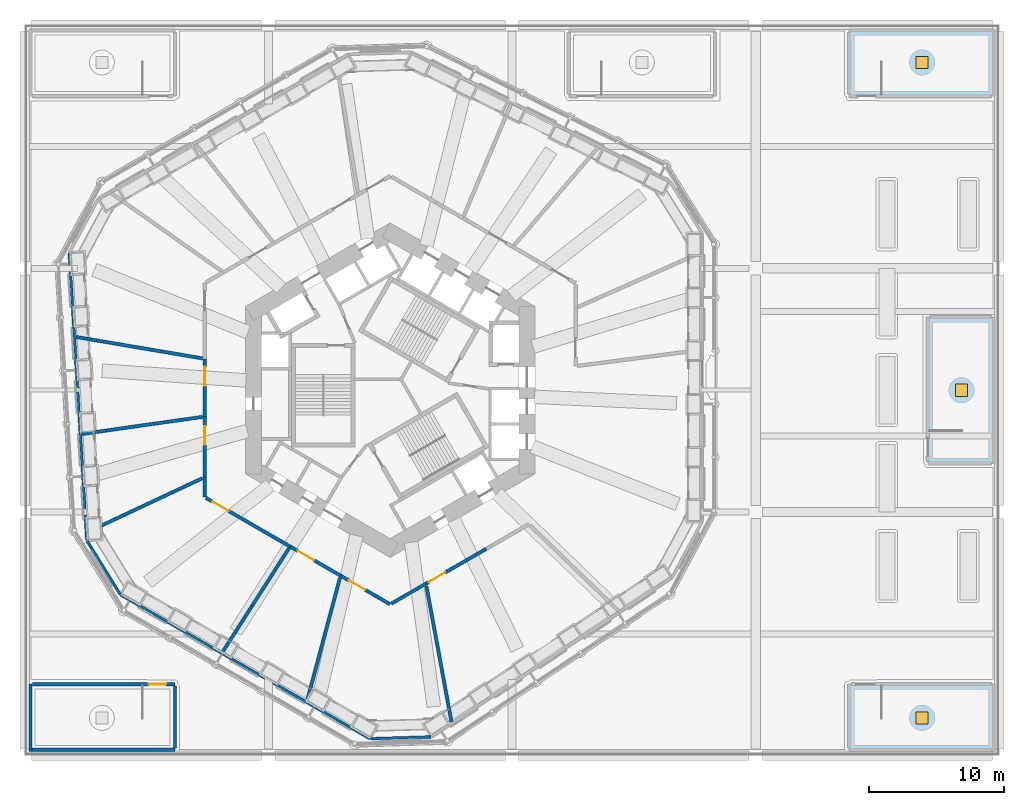
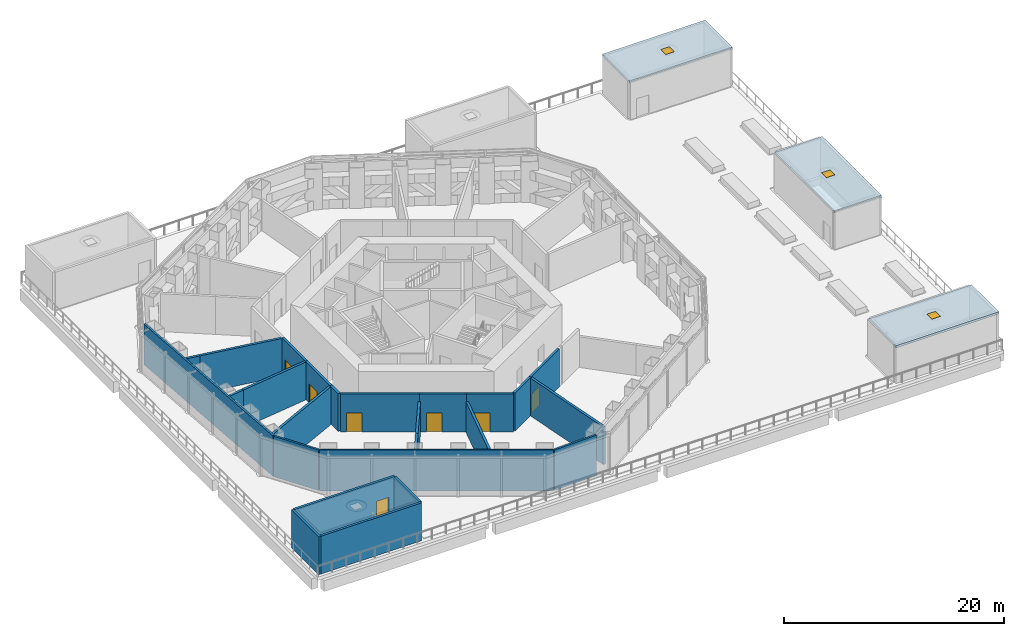
# One storey, part 6 of 20: 25 walls, 7 doors, 3 slabs, 3 windows, 10 openings.
"""IFC4 building model written with IfcOpenShell, lengths in metres."""

from ifc_helpers import new_model, si_unit, direction, frame, frame_2d, origin, origin_2d, place, context, subcontext, project, spatial, polyline, rectangle, outline, extrude, material, layer, layer_set, type_object, element, fill, save


model = new_model("IFC4")

# Units and contexts
model_context = context("Model", 3, precision=1e-05, world=origin(), true_north=direction((0.0, 1.0)))
body_context = subcontext(model_context, "Body", "Model", "MODEL_VIEW")
ifc_project = project(units=[si_unit("LENGTHUNIT", "METRE"), si_unit("AREAUNIT", "SQUARE_METRE"), si_unit("VOLUMEUNIT", "CUBIC_METRE"), si_unit("PLANEANGLEUNIT", "RADIAN"), si_unit("MASSUNIT", "GRAM", prefix="KILO")], contexts=[model_context])

# Site, building, storey
site_placement = place(None, origin())
site = spatial("IfcSite", under=ifc_project, at=site_placement, CompositionType="ELEMENT")
building_placement = place(site_placement, origin())
building = spatial("IfcBuilding", under=site, at=building_placement, Name="Vanh Sen Convention Tower", CompositionType="ELEMENT")
storey_placement = place(building_placement, frame((0.0, 0.0, 34.5)))
storey = spatial("IfcBuildingStorey", under=building, at=storey_placement, Name="L05", CompositionType="ELEMENT", Elevation=34.5)

# Slab, opening, window
ifc_material_1 = material(Name="Concrete C40/50", Category="concrete")
ifc_layer_1 = layer(ifc_material_1, 0.25)
ifc_layer_set_1 = layer_set([ifc_layer_1], Name="Concrete C40/50")
slab_type = type_object("IfcSlabType", Name="Head-house roof slab 250", PredefinedType="ROOF", material=ifc_layer_set_1)
slab_1_placement = place(storey_placement, frame((0.0, 0.0, 3.949951171875)))
slab_1 = element("IfcSlab", 1, at=slab_1_placement, inside=storey, type_object=slab_type, Name="Head-house roof PS1", PredefinedType="ROOF", context=body_context, shape_type="SweptSolid", body=[
    extrude(outline(polyline([(33.89990234375, 21.72509765625), (44.699951171875, 21.72509765625), (44.699951171875, 26.699951171875), (33.89990234375, 26.699951171875), (33.89990234375, 21.72509765625)])), origin(), (0.0, 0.0, 1.0), 0.25),
])
opening_1_placement = place(slab_1_placement, frame((39.300048828125, 24.21240234375, -0.010009765625)))
opening_1 = element("IfcOpeningElement", 2, at=opening_1_placement, cuts=slab_1, Name="Opening RH2", PredefinedType="OPENING", context=body_context, shape_type="SweptSolid", body=[
    extrude(rectangle(XDim=0.89990234375, YDim=0.89990234375, at=origin_2d()), origin(), (0.0, 0.0, 1.0), 0.27001953125),
])
ifc_material_2 = material(Name="Galvanised steel hatch with insulated lid", Category="steel")
window_type = type_object("IfcWindowType", Name="Head-house roof hatch 900 x 900", PartitioningType="SINGLE_PANEL", PredefinedType="SKYLIGHT", material=ifc_material_2)
window_1_placement = place(opening_1_placement, frame((0.0, 0.0, 0.2099609375)))
window_1 = element("IfcWindow", 3, at=window_1_placement, inside=storey, type_object=window_type, Name="Roof hatch RH2 PS1", OverallHeight=0.89990234375, OverallWidth=0.89990234375, PartitioningType="SINGLE_PANEL", PredefinedType="SKYLIGHT", context=body_context, shape_type="SweptSolid", body=[
    extrude(rectangle(XDim=0.89990234375, YDim=0.89990234375, at=origin_2d()), origin(), (0.0, 0.0, 1.0), 0.050048828125),
])
fill(opening_1, window_1)

slab_2_placement = place(storey_placement, frame((0.0, 0.0, 3.949951171875)))
slab_2 = element("IfcSlab", 4, at=slab_2_placement, inside=storey, type_object=slab_type, Name="Head-house roof PS2", PredefinedType="ROOF", context=body_context, shape_type="SweptSolid", body=[
    extrude(outline(polyline([(33.89990234375, -26.699951171875), (44.699951171875, -26.699951171875), (44.699951171875, -21.72509765625), (33.89990234375, -21.72509765625), (33.89990234375, -26.699951171875)])), origin(), (0.0, 0.0, 1.0), 0.25),
])
opening_2_placement = place(slab_2_placement, frame((39.300048828125, -24.21240234375, -0.010009765625)))
opening_2 = element("IfcOpeningElement", 5, at=opening_2_placement, cuts=slab_2, Name="Opening RH2", PredefinedType="OPENING", context=body_context, shape_type="SweptSolid", body=[
    extrude(rectangle(XDim=0.89990234375, YDim=0.89990234375, at=origin_2d()), origin(), (0.0, 0.0, 1.0), 0.27001953125),
])
window_2_placement = place(opening_2_placement, frame((0.0, 0.0, 0.2099609375)))
window_2 = element("IfcWindow", 6, at=window_2_placement, inside=storey, type_object=window_type, Name="Roof hatch RH2 PS2", OverallHeight=0.89990234375, OverallWidth=0.89990234375, PartitioningType="SINGLE_PANEL", PredefinedType="SKYLIGHT", context=body_context, shape_type="SweptSolid", body=[
    extrude(rectangle(XDim=0.89990234375, YDim=0.89990234375, at=origin_2d()), origin(), (0.0, 0.0, 1.0), 0.050048828125),
])
fill(opening_2, window_2)

slab_3_placement = place(storey_placement, frame((0.0, 0.0, 3.949951171875)))
slab_3 = element("IfcSlab", 7, at=slab_3_placement, inside=storey, type_object=slab_type, Name="Head-house roof PS3", PredefinedType="ROOF", context=body_context, shape_type="SweptSolid", body=[
    extrude(outline(polyline([(44.699951171875, -5.39990234375), (44.699951171875, 5.39990234375), (39.72509765625, 5.39990234375), (39.72509765625, -5.39990234375), (44.699951171875, -5.39990234375)])), origin(), (0.0, 0.0, 1.0), 0.25),
])
opening_3_placement = place(slab_3_placement, frame((42.21240234375, 0.0, -0.010009765625)))
opening_3 = element("IfcOpeningElement", 8, at=opening_3_placement, cuts=slab_3, Name="Opening RH2", PredefinedType="OPENING", context=body_context, shape_type="SweptSolid", body=[
    extrude(rectangle(XDim=0.89990234375, YDim=0.89990234375, at=origin_2d()), origin(), (0.0, 0.0, 1.0), 0.27001953125),
])
window_3_placement = place(opening_3_placement, frame((0.0, 0.0, 0.2099609375)))
window_3 = element("IfcWindow", 9, at=window_3_placement, inside=storey, type_object=window_type, Name="Roof hatch RH2 PS3", OverallHeight=0.89990234375, OverallWidth=0.89990234375, PartitioningType="SINGLE_PANEL", PredefinedType="SKYLIGHT", context=body_context, shape_type="SweptSolid", body=[
    extrude(rectangle(XDim=0.89990234375, YDim=0.89990234375, at=origin_2d()), origin(), (0.0, 0.0, 1.0), 0.050048828125),
])
fill(opening_3, window_3)

# Wall
ifc_layer_2 = layer(ifc_material_1, 0.25)
ifc_layer_set_2 = layer_set([ifc_layer_2], Name="Concrete C40/50")
wall_type_1 = type_object("IfcWallType", Name="Concrete wall 250 EI 180", PredefinedType="SOLIDWALL", material=ifc_layer_set_2)
wall_1_placement = place(storey_placement, frame((-10.196533203125, -15.927001953125, 0.0), z_axis=(0.0, 0.0, 1.0), x_axis=(-0.539118649286, -0.842229827299, 0.0)))
element("IfcWall", 10, at=wall_1_placement, inside=storey, type_object=wall_type_1, Name="Fire-resisting wall L05-005", PredefinedType="SOLIDWALL", context=body_context, shape_type="SweptSolid", body=[
    extrude(rectangle(XDim=4.052978515625, YDim=0.25, at=frame_2d((2.0263671875, 0.0))), origin(), (0.0, 0.0, 1.0), 3.39990234375),
])

# Wall, opening, door
wall_2_placement = place(storey_placement, frame((0.0, -15.819580078125, 0.0), z_axis=(0.0, 0.0, 1.0), x_axis=(-0.866001108154, 0.500042078905, 0.0)))
wall_2 = element("IfcWall", 11, at=wall_2_placement, inside=storey, type_object=wall_type_1, Name="Fire-resisting wall L05-006", PredefinedType="SOLIDWALL", context=body_context, shape_type="SweptSolid", body=[
    extrude(rectangle(XDim=4.231689453125, YDim=0.25, at=frame_2d((2.11572265625, 0.0))), origin(), (0.0, 0.0, 1.0), 4.199951171875),
])
opening_4_placement = place(wall_2_placement, frame((2.131591796875, 0.0, 0.0)))
opening_4 = element("IfcOpeningElement", 12, at=opening_4_placement, cuts=wall_2, Name="Opening D05103", PredefinedType="OPENING", context=body_context, shape_type="SweptSolid", body=[
    extrude(rectangle(XDim=1.39990234375, YDim=2.10009765625, at=frame_2d((0.699951171875, 1.050048828125))), frame((0.0, 0.135009765625, 0.0), z_axis=(0.0, -1.0, 0.0), x_axis=(1.0, 0.0, 0.0)), (0.0, 0.0, 1.0), 0.27001953125),
])
ifc_material_3 = material(Name="Steel S355", Category="steel")
door_type_1 = type_object("IfcDoorType", Name="Service door 1400 EI 60", OperationType="SINGLE_SWING_LEFT", PredefinedType="DOOR", material=ifc_material_3)
door_1_placement = place(opening_4_placement, origin())
door_1 = element("IfcDoor", 13, at=door_1_placement, inside=storey, type_object=door_type_1, Name="Service door D05103", OperationType="SINGLE_SWING_LEFT", OverallHeight=2.10009765625, OverallWidth=1.39990234375, PredefinedType="DOOR", context=body_context, shape_type="SweptSolid", body=[
    extrude(rectangle(XDim=1.39990234375, YDim=2.10009765625, at=frame_2d((0.699951171875, 1.050048828125))), frame((0.0, 0.02490234375, 0.0), z_axis=(0.0, -1.0, 0.0), x_axis=(1.0, 0.0, 0.0)), (0.0, 0.0, 1.0), 0.050048828125),
])
fill(opening_4, door_1)

# Walls
wall_3_placement = place(storey_placement, frame((2.6748046875, -14.47119140625, 0.0), z_axis=(0.0, 0.0, 1.0), x_axis=(0.181757015391, -0.983343473745, 0.0)))
element("IfcWall", 14, at=wall_3_placement, inside=storey, type_object=wall_type_1, Name="Fire-resisting wall L05-007", PredefinedType="SOLIDWALL", context=body_context, shape_type="SweptSolid", body=[
    extrude(rectangle(XDim=10.2099609375, YDim=0.25, at=frame_2d((5.10498046875, 0.0))), origin(), (0.0, 0.0, 1.0), 4.199951171875),
])
wall_4_placement = place(storey_placement, frame((2.64208984375, -14.294189453125, 0.0), z_axis=(0.0, 0.0, 1.0), x_axis=(-0.866029891721, -0.499992226585, 0.0)))
element("IfcWall", 15, at=wall_4_placement, inside=storey, type_object=wall_type_1, Name="Fire-resisting wall L05-008", PredefinedType="SOLIDWALL", context=body_context, shape_type="SweptSolid", body=[
    extrude(rectangle(XDim=2.95068359375, YDim=0.25, at=frame_2d((1.475341796875, 0.0))), origin(), (0.0, 0.0, 1.0), 4.199951171875),
])

# Wall, opening, door
wall_5_placement = place(storey_placement, frame((2.64208984375, -14.2939453125, 0.0), z_axis=(0.0, 0.0, 1.0), x_axis=(0.866004128649, 0.500036847806, 0.0)))
wall_5 = element("IfcWall", 16, at=wall_5_placement, inside=storey, type_object=wall_type_1, Name="Fire-resisting wall L05-009", PredefinedType="SOLIDWALL", context=body_context, shape_type="SweptSolid", body=[
    extrude(rectangle(XDim=5.1533203125, YDim=0.25, at=frame_2d((2.57666015625, 0.0))), origin(), (0.0, 0.0, 1.0), 4.199951171875),
])
opening_5_placement = place(wall_5_placement, frame((0.25, 0.0, 0.0)))
opening_5 = element("IfcOpeningElement", 17, at=opening_5_placement, cuts=wall_5, Name="Opening D05104", PredefinedType="OPENING", context=body_context, shape_type="SweptSolid", body=[
    extrude(rectangle(XDim=1.39990234375, YDim=2.10009765625, at=frame_2d((0.699951171875, 1.050048828125))), frame((0.0, 0.135009765625, 0.0), z_axis=(0.0, -1.0, 0.0), x_axis=(1.0, 0.0, 0.0)), (0.0, 0.0, 1.0), 0.27001953125),
])
door_2_placement = place(opening_5_placement, origin())
door_2 = element("IfcDoor", 18, at=door_2_placement, inside=storey, type_object=door_type_1, Name="Service door D05104", OperationType="SINGLE_SWING_LEFT", OverallHeight=2.10009765625, OverallWidth=1.39990234375, PredefinedType="DOOR", context=body_context, shape_type="SweptSolid", body=[
    extrude(rectangle(XDim=1.39990234375, YDim=2.10009765625, at=frame_2d((0.699951171875, 1.050048828125))), frame((0.0, 0.02490234375, 0.0), z_axis=(0.0, -1.0, 0.0), x_axis=(1.0, 0.0, 0.0)), (0.0, 0.0, 1.0), 0.050048828125),
])
fill(opening_5, door_2)

# Wall
wall_6_placement = place(storey_placement, frame((-3.705810546875, -13.858154296875, 0.0), z_axis=(0.0, 0.0, 1.0), x_axis=(-0.258331323752, -0.966056378877, 0.0)))
element("IfcWall", 19, at=wall_6_placement, inside=storey, type_object=wall_type_1, Name="Fire-resisting wall L05-010", PredefinedType="SOLIDWALL", context=body_context, shape_type="SweptSolid", body=[
    extrude(rectangle(XDim=9.4072265625, YDim=0.25, at=frame_2d((4.70361328125, 0.0))), origin(), (0.0, 0.0, 1.0), 3.39990234375),
])

# Wall, opening, door
wall_7_placement = place(storey_placement, frame((-3.66455078125, -13.70361328125, 0.0), z_axis=(0.0, 0.0, 1.0), x_axis=(-0.866019449435, 0.500010313095, 0.0)))
wall_7 = element("IfcWall", 20, at=wall_7_placement, inside=storey, type_object=wall_type_1, Name="Fire-resisting wall L05-011", PredefinedType="SOLIDWALL", context=body_context, shape_type="SweptSolid", body=[
    extrude(rectangle(XDim=4.30712890625, YDim=0.25, at=frame_2d((2.153564453125, 0.0))), origin(), (0.0, 0.0, 1.0), 4.199951171875),
])
opening_6_placement = place(wall_7_placement, frame((2.257080078125, 0.0, 0.0)))
opening_6 = element("IfcOpeningElement", 21, at=opening_6_placement, cuts=wall_7, Name="Opening D05105", PredefinedType="OPENING", context=body_context, shape_type="SweptSolid", body=[
    extrude(rectangle(XDim=1.39990234375, YDim=2.10009765625, at=frame_2d((0.699951171875, 1.050048828125))), frame((0.0, 0.135009765625, 0.0), z_axis=(0.0, -1.0, 0.0), x_axis=(1.0, 0.0, 0.0)), (0.0, 0.0, 1.0), 0.27001953125),
])
door_3_placement = place(opening_6_placement, origin())
door_3 = element("IfcDoor", 22, at=door_3_placement, inside=storey, type_object=door_type_1, Name="Service door D05105", OperationType="SINGLE_SWING_LEFT", OverallHeight=2.10009765625, OverallWidth=1.39990234375, PredefinedType="DOOR", context=body_context, shape_type="SweptSolid", body=[
    extrude(rectangle(XDim=1.39990234375, YDim=2.10009765625, at=frame_2d((0.699951171875, 1.050048828125))), frame((0.0, 0.02490234375, 0.0), z_axis=(0.0, -1.0, 0.0), x_axis=(1.0, 0.0, 0.0)), (0.0, 0.0, 1.0), 0.050048828125),
])
fill(opening_6, door_3)

# Wall
wall_8_placement = place(storey_placement, frame((-7.469970703125, -11.66796875, 0.0), z_axis=(0.0, 0.0, 1.0), x_axis=(-0.539163288943, -0.842201251398, 0.0)))
element("IfcWall", 23, at=wall_8_placement, inside=storey, type_object=wall_type_1, Name="Fire-resisting wall L05-014", PredefinedType="SOLIDWALL", context=body_context, shape_type="SweptSolid", body=[
    extrude(rectangle(XDim=5.05712890625, YDim=0.25, at=frame_2d((2.528564453125, 0.0))), origin(), (0.0, 0.0, 1.0), 3.39990234375),
])

# Wall, opening, door
wall_9_placement = place(storey_placement, frame((-7.39453125, -11.550048828125, 0.0), z_axis=(0.0, 0.0, 1.0), x_axis=(-0.86601459857, 0.500018714713, 0.0)))
wall_9 = element("IfcWall", 24, at=wall_9_placement, inside=storey, type_object=wall_type_1, Name="Fire-resisting wall L05-015", PredefinedType="SOLIDWALL", context=body_context, shape_type="SweptSolid", body=[
    extrude(rectangle(XDim=7.180908203125, YDim=0.25, at=frame_2d((3.59033203125, 0.0))), origin(), (0.0, 0.0, 1.0), 4.199951171875),
])
opening_7_placement = place(wall_9_placement, frame((5.23095703125, 0.0, 0.0)))
opening_7 = element("IfcOpeningElement", 25, at=opening_7_placement, cuts=wall_9, Name="Opening D05106", PredefinedType="OPENING", context=body_context, shape_type="SweptSolid", body=[
    extrude(rectangle(XDim=1.39990234375, YDim=2.10009765625, at=frame_2d((0.699951171875, 1.050048828125))), frame((0.0, 0.135009765625, 0.0), z_axis=(0.0, -1.0, 0.0), x_axis=(1.0, 0.0, 0.0)), (0.0, 0.0, 1.0), 0.27001953125),
])
door_4_placement = place(opening_7_placement, origin())
door_4 = element("IfcDoor", 26, at=door_4_placement, inside=storey, type_object=door_type_1, Name="Service door D05106", OperationType="SINGLE_SWING_LEFT", OverallHeight=2.10009765625, OverallWidth=1.39990234375, PredefinedType="DOOR", context=body_context, shape_type="SweptSolid", body=[
    extrude(rectangle(XDim=1.39990234375, YDim=2.10009765625, at=frame_2d((0.699951171875, 1.050048828125))), frame((0.0, 0.02490234375, 0.0), z_axis=(0.0, -1.0, 0.0), x_axis=(1.0, 0.0, 0.0)), (0.0, 0.0, 1.0), 0.050048828125),
])
fill(opening_7, door_4)

# Walls
wall_10_placement = place(storey_placement, frame((-13.699951171875, -7.909423828125, 0.0), z_axis=(0.0, 0.0, 1.0), x_axis=(0.0, 1.0, 0.0)))
element("IfcWall", 27, at=wall_10_placement, inside=storey, type_object=wall_type_1, Name="Fire-resisting wall L05-019", PredefinedType="SOLIDWALL", context=body_context, shape_type="SweptSolid", body=[
    extrude(rectangle(XDim=1.48486328125, YDim=0.25, at=frame_2d((0.742431640625, 0.0))), origin(), (0.0, 0.0, 1.0), 4.199951171875),
])
wall_11_placement = place(storey_placement, frame((-13.881103515625, -6.509521484375, 0.0), z_axis=(0.0, 0.0, 1.0), x_axis=(-0.905398685936, -0.424562385882, 0.0)))
element("IfcWall", 28, at=wall_11_placement, inside=storey, type_object=wall_type_1, Name="Fire-resisting wall L05-020", PredefinedType="SOLIDWALL", context=body_context, shape_type="SweptSolid", body=[
    extrude(rectangle(XDim=9.344970703125, YDim=0.25, at=frame_2d((4.67236328125, 0.0))), origin(), (0.0, 0.0, 1.0), 4.199951171875),
])

# Wall, opening, door
wall_12_placement = place(storey_placement, frame((-13.699951171875, -6.424560546875, 0.0), z_axis=(0.0, 0.0, 1.0), x_axis=(0.0, 1.0, 0.0)))
wall_12 = element("IfcWall", 29, at=wall_12_placement, inside=storey, type_object=wall_type_1, Name="Fire-resisting wall L05-021", PredefinedType="SOLIDWALL", context=body_context, shape_type="SweptSolid", body=[
    extrude(rectangle(XDim=4.47607421875, YDim=0.25, at=frame_2d((2.238037109375, 0.0))), origin(), (0.0, 0.0, 1.0), 4.199951171875),
])
opening_8_placement = place(wall_12_placement, frame((2.3759765625, 0.0, 0.0)))
opening_8 = element("IfcOpeningElement", 30, at=opening_8_placement, cuts=wall_12, Name="Opening D05107", PredefinedType="OPENING", context=body_context, shape_type="SweptSolid", body=[
    extrude(rectangle(XDim=1.39990234375, YDim=2.10009765625, at=frame_2d((0.699951171875, 1.050048828125))), frame((0.0, 0.135009765625, 0.0), z_axis=(0.0, -1.0, 0.0), x_axis=(1.0, 0.0, 0.0)), (0.0, 0.0, 1.0), 0.27001953125),
])
door_5_placement = place(opening_8_placement, origin())
door_5 = element("IfcDoor", 31, at=door_5_placement, inside=storey, type_object=door_type_1, Name="Service door D05107", OperationType="SINGLE_SWING_LEFT", OverallHeight=2.10009765625, OverallWidth=1.39990234375, PredefinedType="DOOR", context=body_context, shape_type="SweptSolid", body=[
    extrude(rectangle(XDim=1.39990234375, YDim=2.10009765625, at=frame_2d((0.699951171875, 1.050048828125))), frame((0.0, 0.02490234375, 0.0), z_axis=(0.0, -1.0, 0.0), x_axis=(1.0, 0.0, 0.0)), (0.0, 0.0, 1.0), 0.050048828125),
])
fill(opening_8, door_5)

# Walls
wall_13_placement = place(storey_placement, frame((-21.006591796875, -2.988037109375, 0.0), z_axis=(0.0, 0.0, 1.0), x_axis=(-0.99003090252, -0.140850317909, 0.0)))
element("IfcWall", 32, at=wall_13_placement, inside=storey, type_object=wall_type_1, Name="Fire-resisting wall L05-024", PredefinedType="SOLIDWALL", context=body_context, shape_type="SweptSolid", body=[
    extrude(rectangle(XDim=1.795654296875, YDim=0.25, at=frame_2d((0.89794921875, 0.0))), origin(), (0.0, 0.0, 1.0), 4.199951171875),
])
wall_14_placement = place(storey_placement, frame((-21.006591796875, -2.988037109375, 0.0), z_axis=(0.0, 0.0, 1.0), x_axis=(0.990030932224, 0.140850109125, 0.0)))
element("IfcWall", 33, at=wall_14_placement, inside=storey, type_object=wall_type_1, Name="Fire-resisting wall L05-025", PredefinedType="SOLIDWALL", context=body_context, shape_type="SweptSolid", body=[
    extrude(rectangle(XDim=7.240234375, YDim=0.25, at=frame_2d((3.6201171875, 0.0))), origin(), (0.0, 0.0, 1.0), 4.199951171875),
])

# Wall, opening, door
wall_15_placement = place(storey_placement, frame((-13.699951171875, -1.948486328125, 0.0), z_axis=(0.0, 0.0, 1.0), x_axis=(0.0, 1.0, 0.0)))
wall_15 = element("IfcWall", 34, at=wall_15_placement, inside=storey, type_object=wall_type_1, Name="Fire-resisting wall L05-026", PredefinedType="SOLIDWALL", context=body_context, shape_type="SweptSolid", body=[
    extrude(rectangle(XDim=4.26904296875, YDim=0.25, at=frame_2d((2.134521484375, 0.0))), origin(), (0.0, 0.0, 1.0), 4.199951171875),
])
opening_9_placement = place(wall_15_placement, frame((2.26904296875, 0.0, 0.0)))
opening_9 = element("IfcOpeningElement", 35, at=opening_9_placement, cuts=wall_15, Name="Opening D05109", PredefinedType="OPENING", context=body_context, shape_type="SweptSolid", body=[
    extrude(rectangle(XDim=1.39990234375, YDim=2.10009765625, at=frame_2d((0.699951171875, 1.050048828125))), frame((0.0, 0.135009765625, 0.0), z_axis=(0.0, -1.0, 0.0), x_axis=(1.0, 0.0, 0.0)), (0.0, 0.0, 1.0), 0.27001953125),
])
door_6_placement = place(opening_9_placement, origin())
door_6 = element("IfcDoor", 36, at=door_6_placement, inside=storey, type_object=door_type_1, Name="Service door D05109", OperationType="SINGLE_SWING_LEFT", OverallHeight=2.10009765625, OverallWidth=1.39990234375, PredefinedType="DOOR", context=body_context, shape_type="SweptSolid", body=[
    extrude(rectangle(XDim=1.39990234375, YDim=2.10009765625, at=frame_2d((0.699951171875, 1.050048828125))), frame((0.0, 0.02490234375, 0.0), z_axis=(0.0, -1.0, 0.0), x_axis=(1.0, 0.0, 0.0)), (0.0, 0.0, 1.0), 0.050048828125),
])
fill(opening_9, door_6)

# Walls
wall_16_placement = place(storey_placement, frame((-21.693603515625, 3.675048828125, 0.0), z_axis=(0.0, 0.0, 1.0), x_axis=(0.985943618328, -0.16707836927, 0.0)))
element("IfcWall", 37, at=wall_16_placement, inside=storey, type_object=wall_type_1, Name="Fire-resisting wall L05-029", PredefinedType="SOLIDWALL", context=body_context, shape_type="SweptSolid", body=[
    extrude(rectangle(XDim=7.94775390625, YDim=0.25, at=frame_2d((3.973876953125, 0.0))), origin(), (0.0, 0.0, 1.0), 4.199951171875),
])
wall_17_placement = place(storey_placement, frame((-21.693603515625, 3.675048828125, 0.0), z_axis=(0.0, 0.0, 1.0), x_axis=(-0.985965348777, 0.16695008539, 0.0)))
element("IfcWall", 38, at=wall_17_placement, inside=storey, type_object=wall_type_1, Name="Fire-resisting wall L05-030", PredefinedType="SOLIDWALL", context=body_context, shape_type="SweptSolid", body=[
    extrude(rectangle(XDim=1.551513671875, YDim=0.25, at=frame_2d((0.77587890625, 0.0))), origin(), (0.0, 0.0, 1.0), 4.199951171875),
])
ifc_layer_3 = layer(ifc_material_1, 0.25)
ifc_layer_set_3 = layer_set([ifc_layer_3], Name="Concrete C40/50")
wall_type_2 = type_object("IfcWallType", Name="Concrete wall 250 REI 180", PredefinedType="SOLIDWALL", material=ifc_layer_set_3)
wall_18_placement = place(storey_placement, frame((-15.89990234375, -21.864990234375, 0.0), z_axis=(0.0, 0.0, 1.0), x_axis=(0.0, -1.0, 0.0)))
element("IfcWall", 39, at=wall_18_placement, inside=storey, type_object=wall_type_2, Name="Fire-resisting wall L05-002", PredefinedType="SOLIDWALL", context=body_context, shape_type="SweptSolid", body=[
    extrude(rectangle(XDim=4.574951171875, YDim=0.25, at=frame_2d((2.28759765625, 0.0))), origin(), (0.0, 0.0, 1.0), 4.199951171875),
])

# Wall, opening, door
wall_19_placement = place(storey_placement, frame((-26.43994140625, -21.72509765625, 0.0), z_axis=(0.0, 0.0, 1.0), x_axis=(1.0, 0.0, 0.0)))
wall_19 = element("IfcWall", 40, at=wall_19_placement, inside=storey, type_object=wall_type_2, Name="Fire-resisting wall L05-003", PredefinedType="SOLIDWALL", context=body_context, shape_type="SweptSolid", body=[
    extrude(rectangle(XDim=10.5400390625, YDim=0.25, at=frame_2d((5.27001953125, 0.0))), origin(), (0.0, 0.0, 1.0), 4.199951171875),
])
opening_10_placement = place(wall_19_placement, frame((8.590087890625, 0.0, 0.0)))
opening_10 = element("IfcOpeningElement", 41, at=opening_10_placement, cuts=wall_19, Name="Opening D05101", PredefinedType="OPENING", context=body_context, shape_type="SweptSolid", body=[
    extrude(rectangle(XDim=1.300048828125, YDim=2.10009765625, at=frame_2d((0.64990234375, 1.050048828125))), frame((0.0, 0.135009765625, 0.0), z_axis=(0.0, -1.0, 0.0), x_axis=(1.0, 0.0, 0.0)), (0.0, 0.0, 1.0), 0.27001953125),
])
ifc_material_4 = material(Name="Steel S355", Category="steel")
door_type_2 = type_object("IfcDoorType", Name="Stair door 1300 EI 60", OperationType="SINGLE_SWING_LEFT", PredefinedType="DOOR", material=ifc_material_4)
door_7_placement = place(opening_10_placement, origin())
door_7 = element("IfcDoor", 42, at=door_7_placement, inside=storey, type_object=door_type_2, Name="Stair door D05101", OperationType="SINGLE_SWING_LEFT", OverallHeight=2.10009765625, OverallWidth=1.300048828125, PredefinedType="DOOR", context=body_context, shape_type="SweptSolid", body=[
    extrude(rectangle(XDim=1.300048828125, YDim=2.10009765625, at=frame_2d((0.64990234375, 1.050048828125))), frame((0.0, 0.02490234375, 0.0), z_axis=(0.0, -1.0, 0.0), x_axis=(1.0, 0.0, 0.0)), (0.0, 0.0, 1.0), 0.050048828125),
])
fill(opening_10, door_7)

# Walls
wall_20_placement = place(storey_placement, frame((-26.574951171875, -21.72509765625, 0.0), z_axis=(0.0, 0.0, 1.0), x_axis=(0.0, -1.0, 0.0)))
element("IfcWall", 43, at=wall_20_placement, inside=storey, type_object=wall_type_2, Name="Stair enclosure wall PS6 L05", PredefinedType="SOLIDWALL", context=body_context, shape_type="SweptSolid", body=[
    extrude(rectangle(XDim=4.974853515625, YDim=0.25, at=frame_2d((2.4873046875, 0.0))), origin(), (0.0, 0.0, 1.0), 4.199951171875),
])
wall_21_placement = place(storey_placement, frame((-26.449951171875, -26.574951171875, 0.0), z_axis=(0.0, 0.0, 1.0), x_axis=(1.0, 0.0, 0.0)))
element("IfcWall", 44, at=wall_21_placement, inside=storey, type_object=wall_type_2, Name="Stair enclosure wall PS6 L05", PredefinedType="SOLIDWALL", context=body_context, shape_type="SweptSolid", body=[
    extrude(rectangle(XDim=10.550048828125, YDim=0.25, at=frame_2d((5.27490234375, 0.0))), origin(), (0.0, 0.0, 1.0), 4.199951171875),
])
ifc_material_5 = material(Name="Insulated lightweight infill wall")
ifc_layer_4 = layer(ifc_material_5, 0.199951171875)
ifc_layer_set_4 = layer_set([ifc_layer_4], Name="Insulated lightweight infill wall")
wall_type_3 = type_object("IfcWallType", Name="External wall 200", PredefinedType="STANDARD", material=ifc_layer_set_4)
wall_22_placement = place(storey_placement, frame((-23.712646484375, 10.130859375, 0.0), z_axis=(0.0, 0.0, 1.0), x_axis=(0.061040439785, -0.998135293791, 0.0)))
element("IfcWall", 45, at=wall_22_placement, inside=storey, type_object=wall_type_3, Name="External wall W L05", PredefinedType="STANDARD", context=body_context, shape_type="SweptSolid", body=[
    extrude(rectangle(XDim=21.24609375, YDim=0.199951171875, at=frame_2d((10.623046875, 0.0))), origin(), (0.0, 0.0, 1.0), 4.5),
])
wall_23_placement = place(storey_placement, frame((-22.40087890625, -11.122314453125, 0.0), z_axis=(0.0, 0.0, 1.0), x_axis=(0.526197679914, -0.850362276711, 0.0)))
element("IfcWall", 46, at=wall_23_placement, inside=storey, type_object=wall_type_3, Name="External wall CH4 L05", PredefinedType="STANDARD", context=body_context, shape_type="SweptSolid", body=[
    extrude(rectangle(XDim=4.65966796875, YDim=0.199951171875, at=frame_2d((2.329833984375, 0.0))), origin(), (0.0, 0.0, 1.0), 4.5),
])
wall_24_placement = place(storey_placement, frame((-19.913818359375, -15.11865234375, 0.0), z_axis=(0.0, 0.0, 1.0), x_axis=(0.866025418898, -0.499999973822, 0.0)))
element("IfcWall", 47, at=wall_24_placement, inside=storey, type_object=wall_type_3, Name="External wall SW L05", PredefinedType="STANDARD", context=body_context, shape_type="SweptSolid", body=[
    extrude(rectangle(XDim=21.24609375, YDim=0.199951171875, at=frame_2d((10.623046875, 0.0))), origin(), (0.0, 0.0, 1.0), 4.5),
])
wall_25_placement = place(storey_placement, frame((-1.461181640625, -25.7548828125, 0.0), z_axis=(0.0, 0.0, 1.0), x_axis=(0.999533823446, 0.030530898895, 0.0)))
element("IfcWall", 48, at=wall_25_placement, inside=storey, type_object=wall_type_3, Name="External wall CH5 L05", PredefinedType="STANDARD", context=body_context, shape_type="SweptSolid", body=[
    extrude(rectangle(XDim=4.494140625, YDim=0.199951171875, at=frame_2d((2.2470703125, 0.0))), origin(), (0.0, 0.0, 1.0), 4.5),
])

save(model, "model.ifc")
